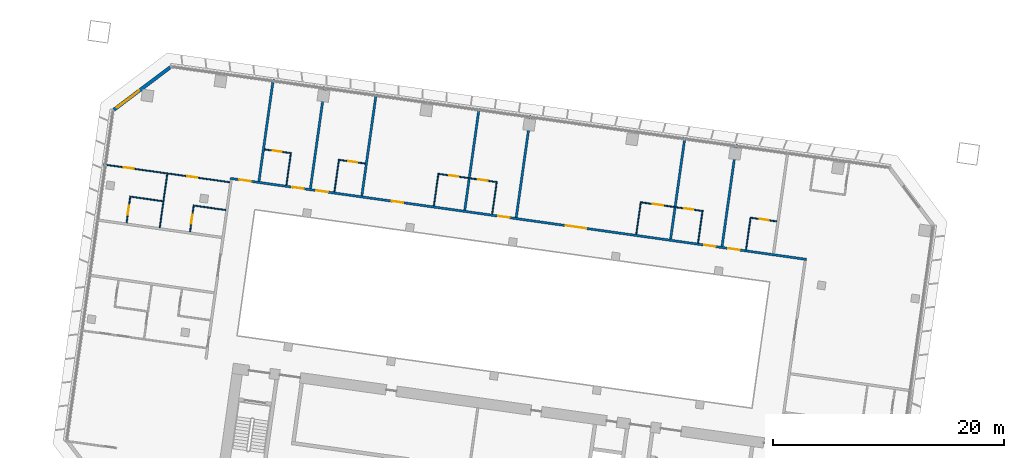
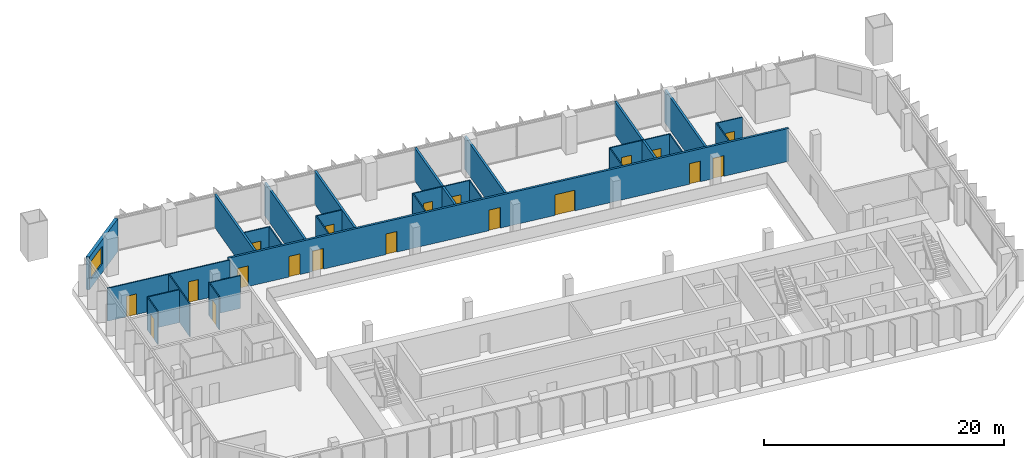
# One storey, part 16 of 24: 27 walls, 19 doors, 1 window, 20 openings.
"""IFC4 building model written with IfcOpenShell, lengths in metres."""

from ifc_helpers import new_model, si_unit, direction, frame, frame_2d, origin, place, context, subcontext, project, spatial, rectangle, extrude, material, layer, layer_set, type_object, element, fill, save


model = new_model("IFC4")

# Units and contexts
model_context = context("Model", 3, precision=1e-05, world=origin(), true_north=direction((0.0, 1.0)))
body_context = subcontext(model_context, "Body", "Model", "MODEL_VIEW")
ifc_project = project(units=[si_unit("LENGTHUNIT", "METRE"), si_unit("AREAUNIT", "SQUARE_METRE"), si_unit("VOLUMEUNIT", "CUBIC_METRE"), si_unit("PLANEANGLEUNIT", "RADIAN"), si_unit("MASSUNIT", "GRAM", prefix="KILO")], contexts=[model_context])

# Site, building, storey
site_placement = place(None, origin())
site = spatial("IfcSite", under=ifc_project, at=site_placement, CompositionType="ELEMENT")
building_placement = place(site_placement, origin())
building = spatial("IfcBuilding", under=site, at=building_placement, Name="Mirante Cascada Hotel Towers", CompositionType="ELEMENT")
storey_placement = place(building_placement, frame((0.0, 0.0, 81.3)))
storey = spatial("IfcBuildingStorey", under=building, at=storey_placement, Name="L17", CompositionType="ELEMENT", Elevation=81.3)

# Wall, openings, doors
ifc_material_1 = material(Name="Fire-rated plasterboard on metal studs")
ifc_layer_1 = layer(ifc_material_1, 0.2)
ifc_layer_set_1 = layer_set([ifc_layer_1], Name="Compartment wall 200 EI 120")
wall_type_1 = type_object("IfcWallType", Name="Compartment wall 200 EI 120", PredefinedType="PARTITIONING", material=ifc_layer_set_1)
wall_1_placement = place(storey_placement, frame((-89.0146, 16.3922, 0.0), z_axis=(0.0, 0.0, 1.0), x_axis=(0.9902681, -0.1391727, 0.0)))
wall_1 = element("IfcWall", 1, at=wall_1_placement, inside=storey, type_object=wall_type_1, Name="Wall 1-L17-13", PredefinedType="PARTITIONING", context=body_context, shape_type="SweptSolid", body=[
    extrude(rectangle(XDim=50.4, YDim=0.2, at=frame_2d((25.2, 0.0))), origin(), (0.0, 0.0, 1.0), 3.35),
])
opening_1_placement = place(wall_1_placement, frame((43.55, 0.0, 0.0)))
opening_1 = element("IfcOpeningElement", 2, at=opening_1_placement, cuts=wall_1, Name="Opening D1-L17-07", PredefinedType="OPENING", context=body_context, shape_type="SweptSolid", body=[
    extrude(rectangle(XDim=1.0, YDim=2.1, at=frame_2d((0.5, 1.05))), frame((0.0, 0.1, 0.0), z_axis=(0.0, -1.0, 0.0), x_axis=(1.0, 0.0, 0.0)), (0.0, 0.0, 1.0), 0.2),
])
opening_2_placement = place(wall_1_placement, frame((41.45, 0.0, 0.0)))
opening_2 = element("IfcOpeningElement", 3, at=opening_2_placement, cuts=wall_1, Name="Opening D1-L17-08", PredefinedType="OPENING", context=body_context, shape_type="SweptSolid", body=[
    extrude(rectangle(XDim=1.0, YDim=2.1, at=frame_2d((0.5, 1.05))), frame((0.0, 0.1, 0.0), z_axis=(0.0, -1.0, 0.0), x_axis=(1.0, 0.0, 0.0)), (0.0, 0.0, 1.0), 0.2),
])
opening_3_placement = place(wall_1_placement, frame((29.35, 0.0, 0.0)))
opening_3 = element("IfcOpeningElement", 4, at=opening_3_placement, cuts=wall_1, Name="Opening D1-L17-09", PredefinedType="OPENING", context=body_context, shape_type="SweptSolid", body=[
    extrude(rectangle(XDim=1.8, YDim=2.1, at=frame_2d((0.9, 1.05))), frame((0.0, 0.1, 0.0), z_axis=(0.0, -1.0, 0.0), x_axis=(1.0, 0.0, 0.0)), (0.0, 0.0, 1.0), 0.2),
])
opening_4_placement = place(wall_1_placement, frame((23.45, 0.0, 0.0)))
opening_4 = element("IfcOpeningElement", 5, at=opening_4_placement, cuts=wall_1, Name="Opening D1-L17-10", PredefinedType="OPENING", context=body_context, shape_type="SweptSolid", body=[
    extrude(rectangle(XDim=1.0, YDim=2.1, at=frame_2d((0.5, 1.05))), frame((0.0, 0.1, 0.0), z_axis=(0.0, -1.0, 0.0), x_axis=(1.0, 0.0, 0.0)), (0.0, 0.0, 1.0), 0.2),
])
opening_5_placement = place(wall_1_placement, frame((14.15, 0.0, 0.0)))
opening_5 = element("IfcOpeningElement", 6, at=opening_5_placement, cuts=wall_1, Name="Opening D1-L17-11", PredefinedType="OPENING", context=body_context, shape_type="SweptSolid", body=[
    extrude(rectangle(XDim=1.0, YDim=2.1, at=frame_2d((0.5, 1.05))), frame((0.0, 0.1, 0.0), z_axis=(0.0, -1.0, 0.0), x_axis=(1.0, 0.0, 0.0)), (0.0, 0.0, 1.0), 0.2),
])
opening_6_placement = place(wall_1_placement, frame((7.55, 0.0, 0.0)))
opening_6 = element("IfcOpeningElement", 7, at=opening_6_placement, cuts=wall_1, Name="Opening D1-L17-12", PredefinedType="OPENING", context=body_context, shape_type="SweptSolid", body=[
    extrude(rectangle(XDim=1.0, YDim=2.1, at=frame_2d((0.5, 1.05))), frame((0.0, 0.1, 0.0), z_axis=(0.0, -1.0, 0.0), x_axis=(1.0, 0.0, 0.0)), (0.0, 0.0, 1.0), 0.2),
])
opening_7_placement = place(wall_1_placement, frame((5.45, 0.0, 0.0)))
opening_7 = element("IfcOpeningElement", 8, at=opening_7_placement, cuts=wall_1, Name="Opening D1-L17-13", PredefinedType="OPENING", context=body_context, shape_type="SweptSolid", body=[
    extrude(rectangle(XDim=1.0, YDim=2.1, at=frame_2d((0.5, 1.05))), frame((0.0, 0.1, 0.0), z_axis=(0.0, -1.0, 0.0), x_axis=(1.0, 0.0, 0.0)), (0.0, 0.0, 1.0), 0.2),
])
opening_8_placement = place(wall_1_placement, frame((0.8, 0.0, 0.0)))
opening_8 = element("IfcOpeningElement", 9, at=opening_8_placement, cuts=wall_1, Name="Opening D1-L17-14", PredefinedType="OPENING", context=body_context, shape_type="SweptSolid", body=[
    extrude(rectangle(XDim=1.0, YDim=2.1, at=frame_2d((0.5, 1.05))), frame((0.0, 0.1, 0.0), z_axis=(0.0, -1.0, 0.0), x_axis=(1.0, 0.0, 0.0)), (0.0, 0.0, 1.0), 0.2),
])
ifc_material_2 = material(Name="Fire-rated timber door leaf", Category="wood")
door_type_1 = type_object("IfcDoorType", Name="Entrance door DG1 1000x2100 EI 60", OperationType="SINGLE_SWING_LEFT", PredefinedType="DOOR", material=ifc_material_2)
door_1_placement = place(opening_1_placement, origin())
door_1 = element("IfcDoor", 10, at=door_1_placement, inside=storey, type_object=door_type_1, Name="Door D1-L17-07", OperationType="SINGLE_SWING_LEFT", OverallHeight=2.1, OverallWidth=1.0, PredefinedType="DOOR", context=body_context, shape_type="SweptSolid", body=[
    extrude(rectangle(XDim=1.0, YDim=2.1, at=frame_2d((0.5, 1.05))), frame((0.0, 0.025, 0.0), z_axis=(0.0, -1.0, 0.0), x_axis=(1.0, 0.0, 0.0)), (0.0, 0.0, 1.0), 0.05),
])
fill(opening_1, door_1)
door_2_placement = place(opening_2_placement, origin())
door_2 = element("IfcDoor", 11, at=door_2_placement, inside=storey, type_object=door_type_1, Name="Door D1-L17-08", OperationType="SINGLE_SWING_LEFT", OverallHeight=2.1, OverallWidth=1.0, PredefinedType="DOOR", context=body_context, shape_type="SweptSolid", body=[
    extrude(rectangle(XDim=1.0, YDim=2.1, at=frame_2d((0.5, 1.05))), frame((0.0, 0.025, 0.0), z_axis=(0.0, -1.0, 0.0), x_axis=(1.0, 0.0, 0.0)), (0.0, 0.0, 1.0), 0.05),
])
fill(opening_2, door_2)
door_3_placement = place(opening_4_placement, origin())
door_3 = element("IfcDoor", 12, at=door_3_placement, inside=storey, type_object=door_type_1, Name="Door D1-L17-10", OperationType="SINGLE_SWING_LEFT", OverallHeight=2.1, OverallWidth=1.0, PredefinedType="DOOR", context=body_context, shape_type="SweptSolid", body=[
    extrude(rectangle(XDim=1.0, YDim=2.1, at=frame_2d((0.5, 1.05))), frame((0.0, 0.025, 0.0), z_axis=(0.0, -1.0, 0.0), x_axis=(1.0, 0.0, 0.0)), (0.0, 0.0, 1.0), 0.05),
])
fill(opening_4, door_3)
door_4_placement = place(opening_5_placement, origin())
door_4 = element("IfcDoor", 13, at=door_4_placement, inside=storey, type_object=door_type_1, Name="Door D1-L17-11", OperationType="SINGLE_SWING_LEFT", OverallHeight=2.1, OverallWidth=1.0, PredefinedType="DOOR", context=body_context, shape_type="SweptSolid", body=[
    extrude(rectangle(XDim=1.0, YDim=2.1, at=frame_2d((0.5, 1.05))), frame((0.0, 0.025, 0.0), z_axis=(0.0, -1.0, 0.0), x_axis=(1.0, 0.0, 0.0)), (0.0, 0.0, 1.0), 0.05),
])
fill(opening_5, door_4)
door_5_placement = place(opening_6_placement, origin())
door_5 = element("IfcDoor", 14, at=door_5_placement, inside=storey, type_object=door_type_1, Name="Door D1-L17-12", OperationType="SINGLE_SWING_LEFT", OverallHeight=2.1, OverallWidth=1.0, PredefinedType="DOOR", context=body_context, shape_type="SweptSolid", body=[
    extrude(rectangle(XDim=1.0, YDim=2.1, at=frame_2d((0.5, 1.05))), frame((0.0, 0.025, 0.0), z_axis=(0.0, -1.0, 0.0), x_axis=(1.0, 0.0, 0.0)), (0.0, 0.0, 1.0), 0.05),
])
fill(opening_6, door_5)
door_6_placement = place(opening_7_placement, origin())
door_6 = element("IfcDoor", 15, at=door_6_placement, inside=storey, type_object=door_type_1, Name="Door D1-L17-13", OperationType="SINGLE_SWING_LEFT", OverallHeight=2.1, OverallWidth=1.0, PredefinedType="DOOR", context=body_context, shape_type="SweptSolid", body=[
    extrude(rectangle(XDim=1.0, YDim=2.1, at=frame_2d((0.5, 1.05))), frame((0.0, 0.025, 0.0), z_axis=(0.0, -1.0, 0.0), x_axis=(1.0, 0.0, 0.0)), (0.0, 0.0, 1.0), 0.05),
])
fill(opening_7, door_6)
door_7_placement = place(opening_8_placement, origin())
door_7 = element("IfcDoor", 16, at=door_7_placement, inside=storey, type_object=door_type_1, Name="Door D1-L17-14", OperationType="SINGLE_SWING_LEFT", OverallHeight=2.1, OverallWidth=1.0, PredefinedType="DOOR", context=body_context, shape_type="SweptSolid", body=[
    extrude(rectangle(XDim=1.0, YDim=2.1, at=frame_2d((0.5, 1.05))), frame((0.0, 0.025, 0.0), z_axis=(0.0, -1.0, 0.0), x_axis=(1.0, 0.0, 0.0)), (0.0, 0.0, 1.0), 0.05),
])
fill(opening_8, door_7)
ifc_material_3 = material(Name="Fire-rated timber door leaf", Category="wood")
door_type_2 = type_object("IfcDoorType", Name="Suite double door DG2 1800x2100 EI 60", OperationType="DOUBLE_DOOR_SINGLE_SWING", PredefinedType="DOOR", material=ifc_material_3)
door_8_placement = place(opening_3_placement, origin())
door_8 = element("IfcDoor", 17, at=door_8_placement, inside=storey, type_object=door_type_2, Name="Door D1-L17-09", OperationType="DOUBLE_DOOR_SINGLE_SWING", OverallHeight=2.1, OverallWidth=1.8, PredefinedType="DOOR", context=body_context, shape_type="SweptSolid", body=[
    extrude(rectangle(XDim=0.895, YDim=2.1, at=frame_2d((0.4475, 1.05))), frame((0.0, 0.025, 0.0), z_axis=(0.0, -1.0, 0.0), x_axis=(1.0, 0.0, 0.0)), (0.0, 0.0, 1.0), 0.05),
    extrude(rectangle(XDim=0.895, YDim=2.1, at=frame_2d((1.3525, 1.05))), frame((0.0, 0.025, 0.0), z_axis=(0.0, -1.0, 0.0), x_axis=(1.0, 0.0, 0.0)), (0.0, 0.0, 1.0), 0.05),
])
fill(opening_3, door_8)

# Walls
for number, where, z_axis, x_axis, name in (
    (18, (-46.4192, 10.5068, 0.0), (0.0, 0.0, 1.0), (0.1391794, 0.9902672, 0.0), "Wall 1-L17-28"),
    (19, (-50.8754, 11.1331, 0.0), (0.0, 0.0, 1.0), (0.1391794, 0.9902672, 0.0), "Wall 1-L17-30"),
    (20, (-64.244, 13.0119, 0.0), (0.0, 0.0, 1.0), (0.1391684, 0.9902687, 0.0), "Wall 1-L17-32"),
    (21, (-68.7002, 13.6382, 0.0), (0.0, 0.0, 1.0), (0.1391684, 0.9902687, 0.0), "Wall 1-L17-34"),
    (22, (-77.6126, 14.8908, 0.0), (0.0, 0.0, 1.0), (0.1391684, 0.9902687, 0.0), "Wall 1-L17-36"),
):
    element("IfcWall", number, at=place(storey_placement, frame(where, z_axis=z_axis, x_axis=x_axis)), inside=storey, type_object=wall_type_1, Name=name, PredefinedType="PARTITIONING", context=body_context, shape_type="SweptSolid", body=[
        extrude(rectangle(XDim=8.9, YDim=0.2, at=frame_2d((4.45, 0.0))), origin(), (0.0, 0.0, 1.0), 3.35),
    ])
wall_2_placement = place(storey_placement, frame((-82.0688, 15.5171, 0.0), z_axis=(0.0, 0.0, 1.0), x_axis=(0.13917, 0.9902685, 0.0)))
element("IfcWall", 23, at=wall_2_placement, inside=storey, type_object=wall_type_1, Name="Wall 1-L17-38", PredefinedType="PARTITIONING", context=body_context, shape_type="SweptSolid", body=[
    extrude(rectangle(XDim=8.8999, YDim=0.2, at=frame_2d((4.45, 0.0))), origin(), (0.0, 0.0, 1.0), 3.35),
])
wall_3_placement = place(storey_placement, frame((-86.525, 16.1433, 0.0), z_axis=(0.0, 0.0, 1.0), x_axis=(0.1391684, 0.9902687, 0.0)))
element("IfcWall", 24, at=wall_3_placement, inside=storey, type_object=wall_type_1, Name="Wall 1-L17-40", PredefinedType="PARTITIONING", context=body_context, shape_type="SweptSolid", body=[
    extrude(rectangle(XDim=8.9, YDim=0.2, at=frame_2d((4.45, 0.0))), origin(), (0.0, 0.0, 1.0), 3.35),
])
ifc_material_4 = material(Name="Plasterboard on metal studs")
ifc_layer_2 = layer(ifc_material_4, 0.1)
ifc_layer_set_2 = layer_set([ifc_layer_2], Name="Partition 100")
wall_type_2 = type_object("IfcWallType", Name="Partition 100", PredefinedType="PARTITIONING", material=ifc_layer_set_2)
wall_4_placement = place(storey_placement, frame((-89.3997, 13.6525, 0.0), z_axis=(0.0, 0.0, 1.0), x_axis=(-0.9902697, 0.1391613, 0.0)))
element("IfcWall", 25, at=wall_4_placement, inside=storey, type_object=wall_type_2, Name="Wall 1-L17-10", PredefinedType="PARTITIONING", context=body_context, shape_type="SweptSolid", body=[
    extrude(rectangle(XDim=2.8499, YDim=0.1, at=frame_2d((1.425, 0.0))), origin(), (0.0, 0.0, 1.0), 3.35),
])
wall_5_placement = place(storey_placement, frame((-97.7179, 14.8215, 0.0), z_axis=(0.0, 0.0, 1.0), x_axis=(0.9902683, -0.1391714, 0.0)))
element("IfcWall", 26, at=wall_5_placement, inside=storey, type_object=wall_type_2, Name="Wall 1-L17-11", PredefinedType="PARTITIONING", context=body_context, shape_type="SweptSolid", body=[
    extrude(rectangle(XDim=2.9, YDim=0.1, at=frame_2d((1.45, 0.0))), origin(), (0.0, 0.0, 1.0), 3.35),
])

# Wall, openings, doors
wall_6_placement = place(storey_placement, frame((-89.061, 16.0622, 0.0), z_axis=(0.0, 0.0, 1.0), x_axis=(-0.9902682, 0.1391721, 0.0)))
wall_6 = element("IfcWall", 27, at=wall_6_placement, inside=storey, type_object=wall_type_2, Name="Wall 1-L17-12", PredefinedType="PARTITIONING", context=body_context, shape_type="SweptSolid", body=[
    extrude(rectangle(XDim=11.0001, YDim=0.1, at=frame_2d((5.5, 0.0))), origin(), (0.0, 0.0, 1.0), 3.35),
])
opening_9_placement = place(wall_6_placement, frame((2.825, 0.0, 0.0)))
opening_9 = element("IfcOpeningElement", 28, at=opening_9_placement, cuts=wall_6, Name="Opening D1-L17-05", PredefinedType="OPENING", context=body_context, shape_type="SweptSolid", body=[
    extrude(rectangle(XDim=0.9, YDim=2.1, at=frame_2d((0.45, 1.05))), frame((0.0, 0.05, 0.0), z_axis=(0.0, -1.0, 0.0), x_axis=(1.0, 0.0, 0.0)), (0.0, 0.0, 1.0), 0.1),
])
opening_10_placement = place(wall_6_placement, frame((8.375, 0.0, 0.0)))
opening_10 = element("IfcOpeningElement", 29, at=opening_10_placement, cuts=wall_6, Name="Opening D1-L17-06", PredefinedType="OPENING", context=body_context, shape_type="SweptSolid", body=[
    extrude(rectangle(XDim=0.9, YDim=2.1, at=frame_2d((0.45, 1.05))), frame((0.0, 0.05, 0.0), z_axis=(0.0, -1.0, 0.0), x_axis=(1.0, 0.0, 0.0)), (0.0, 0.0, 1.0), 0.1),
])
ifc_material_5 = material(Name="Timber door leaf", Category="wood")
door_type_3 = type_object("IfcDoorType", Name="Room door DG3 900x2100", OperationType="SINGLE_SWING_LEFT", PredefinedType="DOOR", material=ifc_material_5)
door_9_placement = place(opening_9_placement, frame((0.9, 0.0, 0.0), z_axis=(0.0, 0.0, 1.0), x_axis=(-1.0, 0.0, 0.0)))
door_9 = element("IfcDoor", 30, at=door_9_placement, inside=storey, type_object=door_type_3, Name="Door D1-L17-05", OperationType="SINGLE_SWING_RIGHT", OverallHeight=2.1, OverallWidth=0.9, PredefinedType="DOOR", context=body_context, shape_type="SweptSolid", body=[
    extrude(rectangle(XDim=0.9, YDim=2.1, at=frame_2d((0.45, 1.05))), frame((0.0, 0.025, 0.0), z_axis=(0.0, -1.0, 0.0), x_axis=(1.0, 0.0, 0.0)), (0.0, 0.0, 1.0), 0.05),
])
fill(opening_9, door_9)
door_10_placement = place(opening_10_placement, frame((0.9, 0.0, 0.0), z_axis=(0.0, 0.0, 1.0), x_axis=(-1.0, 0.0, 0.0)))
door_10 = element("IfcDoor", 31, at=door_10_placement, inside=storey, type_object=door_type_3, Name="Door D1-L17-06", OperationType="SINGLE_SWING_RIGHT", OverallHeight=2.1, OverallWidth=0.9, PredefinedType="DOOR", context=body_context, shape_type="SweptSolid", body=[
    extrude(rectangle(XDim=0.9, YDim=2.1, at=frame_2d((0.45, 1.05))), frame((0.0, 0.025, 0.0), z_axis=(0.0, -1.0, 0.0), x_axis=(1.0, 0.0, 0.0)), (0.0, 0.0, 1.0), 0.05),
])
fill(opening_10, door_10)

# Wall, opening, door
wall_7_placement = place(storey_placement, frame((-41.6723, 12.6672, 0.0), z_axis=(0.0, 0.0, 1.0), x_axis=(-0.9902643, 0.1391997, 0.0)))
wall_7 = element("IfcWall", 32, at=wall_7_placement, inside=storey, type_object=wall_type_2, Name="Wall 1-L17-14", PredefinedType="PARTITIONING", context=body_context, shape_type="SweptSolid", body=[
    extrude(rectangle(XDim=2.25, YDim=0.1, at=frame_2d((1.125, 0.0))), origin(), (0.0, 0.0, 1.0), 3.35),
])
opening_11_placement = place(wall_7_placement, frame((0.7, 0.0, 0.0)))
opening_11 = element("IfcOpeningElement", 33, at=opening_11_placement, cuts=wall_7, Name="Opening D1-L17-15", PredefinedType="OPENING", context=body_context, shape_type="SweptSolid", body=[
    extrude(rectangle(XDim=0.8, YDim=2.1, at=frame_2d((0.4, 1.05))), frame((0.0, 0.05, 0.0), z_axis=(0.0, -1.0, 0.0), x_axis=(1.0, 0.0, 0.0)), (0.0, 0.0, 1.0), 0.1),
])
ifc_material_6 = material(Name="Timber door leaf", Category="wood")
door_type_4 = type_object("IfcDoorType", Name="Bathroom door DG4 800x2100", OperationType="SINGLE_SWING_LEFT", PredefinedType="DOOR", material=ifc_material_6)
door_11_placement = place(opening_11_placement, frame((0.8, 0.0, 0.0), z_axis=(0.0, 0.0, 1.0), x_axis=(-1.0, 0.0, 0.0)))
door_11 = element("IfcDoor", 34, at=door_11_placement, inside=storey, type_object=door_type_4, Name="Door D1-L17-15", OperationType="SINGLE_SWING_RIGHT", OverallHeight=2.1, OverallWidth=0.8, PredefinedType="DOOR", context=body_context, shape_type="SweptSolid", body=[
    extrude(rectangle(XDim=0.8, YDim=2.1, at=frame_2d((0.4, 1.05))), frame((0.0, 0.025, 0.0), z_axis=(0.0, -1.0, 0.0), x_axis=(1.0, 0.0, 0.0)), (0.0, 0.0, 1.0), 0.05),
])
fill(opening_11, door_11)

# Wall, openings, doors
wall_8_placement = place(storey_placement, frame((-53.506, 14.3303, 0.0), z_axis=(0.0, 0.0, 1.0), x_axis=(0.9902695, -0.1391632, 0.0)))
wall_8 = element("IfcWall", 35, at=wall_8_placement, inside=storey, type_object=wall_type_2, Name="Wall 1-L17-15", PredefinedType="PARTITIONING", context=body_context, shape_type="SweptSolid", body=[
    extrude(rectangle(XDim=5.5, YDim=0.1, at=frame_2d((2.75, 0.0))), origin(), (0.0, 0.0, 1.0), 3.35),
])
opening_12_placement = place(wall_8_placement, frame((3.85, 0.0, 0.0)))
opening_12 = element("IfcOpeningElement", 36, at=opening_12_placement, cuts=wall_8, Name="Opening D1-L17-16", PredefinedType="OPENING", context=body_context, shape_type="SweptSolid", body=[
    extrude(rectangle(XDim=0.8, YDim=2.1, at=frame_2d((0.4, 1.05))), frame((0.0, 0.05, 0.0), z_axis=(0.0, -1.0, 0.0), x_axis=(1.0, 0.0, 0.0)), (0.0, 0.0, 1.0), 0.1),
])
opening_13_placement = place(wall_8_placement, frame((1.1, 0.0, 0.0)))
opening_13 = element("IfcOpeningElement", 37, at=opening_13_placement, cuts=wall_8, Name="Opening D1-L17-17", PredefinedType="OPENING", context=body_context, shape_type="SweptSolid", body=[
    extrude(rectangle(XDim=0.9, YDim=2.1, at=frame_2d((0.45, 1.05))), frame((0.0, 0.05, 0.0), z_axis=(0.0, -1.0, 0.0), x_axis=(1.0, 0.0, 0.0)), (0.0, 0.0, 1.0), 0.1),
])
door_12_placement = place(opening_12_placement, origin())
door_12 = element("IfcDoor", 38, at=door_12_placement, inside=storey, type_object=door_type_4, Name="Door D1-L17-16", OperationType="SINGLE_SWING_LEFT", OverallHeight=2.1, OverallWidth=0.8, PredefinedType="DOOR", context=body_context, shape_type="SweptSolid", body=[
    extrude(rectangle(XDim=0.8, YDim=2.1, at=frame_2d((0.4, 1.05))), frame((0.0, 0.025, 0.0), z_axis=(0.0, -1.0, 0.0), x_axis=(1.0, 0.0, 0.0)), (0.0, 0.0, 1.0), 0.05),
])
fill(opening_12, door_12)
door_13_placement = place(opening_13_placement, origin())
door_13 = element("IfcDoor", 39, at=door_13_placement, inside=storey, type_object=door_type_3, Name="Door D1-L17-17", OperationType="SINGLE_SWING_LEFT", OverallHeight=2.1, OverallWidth=0.9, PredefinedType="DOOR", context=body_context, shape_type="SweptSolid", body=[
    extrude(rectangle(XDim=0.9, YDim=2.1, at=frame_2d((0.45, 1.05))), frame((0.0, 0.025, 0.0), z_axis=(0.0, -1.0, 0.0), x_axis=(1.0, 0.0, 0.0)), (0.0, 0.0, 1.0), 0.05),
])
fill(opening_13, door_13)

wall_9_placement = place(storey_placement, frame((-65.8844, 16.07, 0.0), z_axis=(0.0, 0.0, 1.0), x_axis=(-0.9902681, 0.1391729, 0.0)))
wall_9 = element("IfcWall", 40, at=wall_9_placement, inside=storey, type_object=wall_type_2, Name="Wall 1-L17-16", PredefinedType="PARTITIONING", context=body_context, shape_type="SweptSolid", body=[
    extrude(rectangle(XDim=5.2, YDim=0.1, at=frame_2d((2.6, 0.0))), origin(), (0.0, 0.0, 1.0), 3.35),
])
opening_14_placement = place(wall_9_placement, frame((0.85, 0.0, 0.0)))
opening_14 = element("IfcOpeningElement", 41, at=opening_14_placement, cuts=wall_9, Name="Opening D1-L17-18", PredefinedType="OPENING", context=body_context, shape_type="SweptSolid", body=[
    extrude(rectangle(XDim=0.8, YDim=2.1, at=frame_2d((0.4, 1.05))), frame((0.0, 0.05, 0.0), z_axis=(0.0, -1.0, 0.0), x_axis=(1.0, 0.0, 0.0)), (0.0, 0.0, 1.0), 0.1),
])
opening_15_placement = place(wall_9_placement, frame((3.4, 0.0, 0.0)))
opening_15 = element("IfcOpeningElement", 42, at=opening_15_placement, cuts=wall_9, Name="Opening D1-L17-19", PredefinedType="OPENING", context=body_context, shape_type="SweptSolid", body=[
    extrude(rectangle(XDim=0.8, YDim=2.1, at=frame_2d((0.4, 1.05))), frame((0.0, 0.05, 0.0), z_axis=(0.0, -1.0, 0.0), x_axis=(1.0, 0.0, 0.0)), (0.0, 0.0, 1.0), 0.1),
])
door_14_placement = place(opening_14_placement, frame((0.8, 0.0, 0.0), z_axis=(0.0, 0.0, 1.0), x_axis=(-1.0, 0.0, 0.0)))
door_14 = element("IfcDoor", 43, at=door_14_placement, inside=storey, type_object=door_type_4, Name="Door D1-L17-18", OperationType="SINGLE_SWING_RIGHT", OverallHeight=2.1, OverallWidth=0.8, PredefinedType="DOOR", context=body_context, shape_type="SweptSolid", body=[
    extrude(rectangle(XDim=0.8, YDim=2.1, at=frame_2d((0.4, 1.05))), frame((0.0, 0.025, 0.0), z_axis=(0.0, -1.0, 0.0), x_axis=(1.0, 0.0, 0.0)), (0.0, 0.0, 1.0), 0.05),
])
fill(opening_14, door_14)
door_15_placement = place(opening_15_placement, frame((0.8, 0.0, 0.0), z_axis=(0.0, 0.0, 1.0), x_axis=(-1.0, 0.0, 0.0)))
door_15 = element("IfcDoor", 44, at=door_15_placement, inside=storey, type_object=door_type_4, Name="Door D1-L17-19", OperationType="SINGLE_SWING_RIGHT", OverallHeight=2.1, OverallWidth=0.8, PredefinedType="DOOR", context=body_context, shape_type="SweptSolid", body=[
    extrude(rectangle(XDim=0.8, YDim=2.1, at=frame_2d((0.4, 1.05))), frame((0.0, 0.025, 0.0), z_axis=(0.0, -1.0, 0.0), x_axis=(1.0, 0.0, 0.0)), (0.0, 0.0, 1.0), 0.05),
])
fill(opening_15, door_15)

# Wall, opening, door
wall_10_placement = place(storey_placement, frame((-79.5501, 17.9906, 0.0), z_axis=(0.0, 0.0, 1.0), x_axis=(0.9902643, -0.1391997, 0.0)))
wall_10 = element("IfcWall", 45, at=wall_10_placement, inside=storey, type_object=wall_type_2, Name="Wall 1-L17-17", PredefinedType="PARTITIONING", context=body_context, shape_type="SweptSolid", body=[
    extrude(rectangle(XDim=2.25, YDim=0.1, at=frame_2d((1.125, 0.0))), origin(), (0.0, 0.0, 1.0), 3.35),
])
opening_16_placement = place(wall_10_placement, frame((0.75, 0.0, 0.0)))
opening_16 = element("IfcOpeningElement", 46, at=opening_16_placement, cuts=wall_10, Name="Opening D1-L17-20", PredefinedType="OPENING", context=body_context, shape_type="SweptSolid", body=[
    extrude(rectangle(XDim=0.8, YDim=2.1, at=frame_2d((0.4, 1.05))), frame((0.0, 0.05, 0.0), z_axis=(0.0, -1.0, 0.0), x_axis=(1.0, 0.0, 0.0)), (0.0, 0.0, 1.0), 0.1),
])
door_16_placement = place(opening_16_placement, origin())
door_16 = element("IfcDoor", 47, at=door_16_placement, inside=storey, type_object=door_type_4, Name="Door D1-L17-20", OperationType="SINGLE_SWING_LEFT", OverallHeight=2.1, OverallWidth=0.8, PredefinedType="DOOR", context=body_context, shape_type="SweptSolid", body=[
    extrude(rectangle(XDim=0.8, YDim=2.1, at=frame_2d((0.4, 1.05))), frame((0.0, 0.025, 0.0), z_axis=(0.0, -1.0, 0.0), x_axis=(1.0, 0.0, 0.0)), (0.0, 0.0, 1.0), 0.05),
])
fill(opening_16, door_16)

wall_11_placement = place(storey_placement, frame((-83.8082, 18.589, 0.0), z_axis=(0.0, 0.0, 1.0), x_axis=(-0.9902643, 0.1391997, 0.0)))
wall_11 = element("IfcWall", 48, at=wall_11_placement, inside=storey, type_object=wall_type_2, Name="Wall 1-L17-18", PredefinedType="PARTITIONING", context=body_context, shape_type="SweptSolid", body=[
    extrude(rectangle(XDim=2.25, YDim=0.1, at=frame_2d((1.125, 0.0))), origin(), (0.0, 0.0, 1.0), 3.35),
])
opening_17_placement = place(wall_11_placement, frame((0.75, 0.0, 0.0)))
opening_17 = element("IfcOpeningElement", 49, at=opening_17_placement, cuts=wall_11, Name="Opening D1-L17-21", PredefinedType="OPENING", context=body_context, shape_type="SweptSolid", body=[
    extrude(rectangle(XDim=0.8, YDim=2.1, at=frame_2d((0.4, 1.05))), frame((0.0, 0.05, 0.0), z_axis=(0.0, -1.0, 0.0), x_axis=(1.0, 0.0, 0.0)), (0.0, 0.0, 1.0), 0.1),
])
door_17_placement = place(opening_17_placement, frame((0.8, 0.0, 0.0), z_axis=(0.0, 0.0, 1.0), x_axis=(-1.0, 0.0, 0.0)))
door_17 = element("IfcDoor", 50, at=door_17_placement, inside=storey, type_object=door_type_4, Name="Door D1-L17-21", OperationType="SINGLE_SWING_RIGHT", OverallHeight=2.1, OverallWidth=0.8, PredefinedType="DOOR", context=body_context, shape_type="SweptSolid", body=[
    extrude(rectangle(XDim=0.8, YDim=2.1, at=frame_2d((0.4, 1.05))), frame((0.0, 0.025, 0.0), z_axis=(0.0, -1.0, 0.0), x_axis=(1.0, 0.0, 0.0)), (0.0, 0.0, 1.0), 0.05),
])
fill(opening_17, door_17)

# Walls
wall_12_placement = place(storey_placement, frame((-43.943, 13.0368, 0.0), z_axis=(0.0, 0.0, 1.0), x_axis=(-0.1391613, -0.9902697, 0.0)))
element("IfcWall", 51, at=wall_12_placement, inside=storey, type_object=wall_type_2, Name="Wall 1-L17-27", PredefinedType="PARTITIONING", context=body_context, shape_type="SweptSolid", body=[
    extrude(rectangle(XDim=2.8499, YDim=0.1, at=frame_2d((1.425, 0.0))), origin(), (0.0, 0.0, 1.0), 3.35),
])
wall_13_placement = place(storey_placement, frame((-48.116, 13.5223, 0.0), z_axis=(0.0, 0.0, 1.0), x_axis=(-0.1391657, -0.9902691, 0.0)))
element("IfcWall", 52, at=wall_13_placement, inside=storey, type_object=wall_type_2, Name="Wall 1-L17-29", PredefinedType="PARTITIONING", context=body_context, shape_type="SweptSolid", body=[
    extrude(rectangle(XDim=2.75, YDim=0.1, at=frame_2d((1.375, 0.0))), origin(), (0.0, 0.0, 1.0), 3.35),
])
wall_14_placement = place(storey_placement, frame((-53.4635, 14.2739, 0.0), z_axis=(0.0, 0.0, 1.0), x_axis=(-0.1391607, -0.9902698, 0.0)))
element("IfcWall", 53, at=wall_14_placement, inside=storey, type_object=wall_type_2, Name="Wall 1-L17-31", PredefinedType="PARTITIONING", context=body_context, shape_type="SweptSolid", body=[
    extrude(rectangle(XDim=2.7501, YDim=0.1, at=frame_2d((1.3751, 0.0))), origin(), (0.0, 0.0, 1.0), 3.35),
])
for number, where, z_axis, x_axis, name in (
    (54, (-65.9408, 16.0274, 0.0), (0.0, 0.0, 1.0), (-0.1392013, -0.9902641, 0.0), "Wall 1-L17-33"),
    (55, (-70.9912, 16.7372, 0.0), (0.0, 0.0, 1.0), (-0.1391657, -0.9902691, 0.0), "Wall 1-L17-35"),
):
    element("IfcWall", number, at=place(storey_placement, frame(where, z_axis=z_axis, x_axis=x_axis)), inside=storey, type_object=wall_type_2, Name=name, PredefinedType="PARTITIONING", context=body_context, shape_type="SweptSolid", body=[
        extrude(rectangle(XDim=2.75, YDim=0.1, at=frame_2d((1.375, 0.0))), origin(), (0.0, 0.0, 1.0), 3.35),
    ])
for number, where, z_axis, x_axis, name in (
    (56, (-79.5926, 18.0471, 0.0), (0.0, 0.0, 1.0), (-0.1391909, -0.9902656, 0.0), "Wall 1-L17-37"),
    (57, (-83.7517, 18.6316, 0.0), (0.0, 0.0, 1.0), (-0.1391909, -0.9902656, 0.0), "Wall 1-L17-39"),
):
    element("IfcWall", number, at=place(storey_placement, frame(where, z_axis=z_axis, x_axis=x_axis)), inside=storey, type_object=wall_type_2, Name=name, PredefinedType="PARTITIONING", context=body_context, shape_type="SweptSolid", body=[
        extrude(rectangle(XDim=2.85, YDim=0.1, at=frame_2d((1.425, 0.0))), origin(), (0.0, 0.0, 1.0), 3.35),
    ])

# Wall, opening, door
wall_15_placement = place(storey_placement, frame((-92.1794, 13.9926, 0.0), z_axis=(0.0, 0.0, 1.0), x_axis=(-0.1391561, -0.9902705, 0.0)))
wall_15 = element("IfcWall", 58, at=wall_15_placement, inside=storey, type_object=wall_type_2, Name="Wall 1-L17-43", PredefinedType="PARTITIONING", context=body_context, shape_type="SweptSolid", body=[
    extrude(rectangle(XDim=2.25, YDim=0.1, at=frame_2d((1.125, 0.0))), origin(), (0.0, 0.0, 1.0), 3.35),
])
opening_18_placement = place(wall_15_placement, frame((0.75, 0.0, 0.0)))
opening_18 = element("IfcOpeningElement", 59, at=opening_18_placement, cuts=wall_15, Name="Opening D1-L17-28", PredefinedType="OPENING", context=body_context, shape_type="SweptSolid", body=[
    extrude(rectangle(XDim=0.8, YDim=2.1, at=frame_2d((0.4, 1.05))), frame((0.0, 0.05, 0.0), z_axis=(0.0, -1.0, 0.0), x_axis=(1.0, 0.0, 0.0)), (0.0, 0.0, 1.0), 0.1),
])
door_18_placement = place(opening_18_placement, origin())
door_18 = element("IfcDoor", 60, at=door_18_placement, inside=storey, type_object=door_type_4, Name="Door D1-L17-28", OperationType="SINGLE_SWING_LEFT", OverallHeight=2.1, OverallWidth=0.8, PredefinedType="DOOR", context=body_context, shape_type="SweptSolid", body=[
    extrude(rectangle(XDim=0.8, YDim=2.1, at=frame_2d((0.4, 1.05))), frame((0.0, 0.025, 0.0), z_axis=(0.0, -1.0, 0.0), x_axis=(1.0, 0.0, 0.0)), (0.0, 0.0, 1.0), 0.05),
])
fill(opening_18, door_18)

# Wall
wall_16_placement = place(storey_placement, frame((-94.4649, 16.7712, 0.0), z_axis=(0.0, 0.0, 1.0), x_axis=(-0.1391701, -0.9902685, 0.0)))
element("IfcWall", 61, at=wall_16_placement, inside=storey, type_object=wall_type_2, Name="Wall 1-L17-45", PredefinedType="PARTITIONING", context=body_context, shape_type="SweptSolid", body=[
    extrude(rectangle(XDim=4.6835, YDim=0.1, at=frame_2d((2.3418, 0.0))), origin(), (0.0, 0.0, 1.0), 3.35),
])

# Wall, opening, door
wall_17_placement = place(storey_placement, frame((-97.6754, 14.765, 0.0), z_axis=(0.0, 0.0, 1.0), x_axis=(-0.1391561, -0.9902705, 0.0)))
wall_17 = element("IfcWall", 62, at=wall_17_placement, inside=storey, type_object=wall_type_2, Name="Wall 1-L17-47", PredefinedType="PARTITIONING", context=body_context, shape_type="SweptSolid", body=[
    extrude(rectangle(XDim=2.25, YDim=0.1, at=frame_2d((1.125, 0.0))), origin(), (0.0, 0.0, 1.0), 3.35),
])
opening_19_placement = place(wall_17_placement, frame((0.75, 0.0, 0.0)))
opening_19 = element("IfcOpeningElement", 63, at=opening_19_placement, cuts=wall_17, Name="Opening D1-L17-31", PredefinedType="OPENING", context=body_context, shape_type="SweptSolid", body=[
    extrude(rectangle(XDim=0.8, YDim=2.1, at=frame_2d((0.4, 1.05))), frame((0.0, 0.05, 0.0), z_axis=(0.0, -1.0, 0.0), x_axis=(1.0, 0.0, 0.0)), (0.0, 0.0, 1.0), 0.1),
])
door_19_placement = place(opening_19_placement, origin())
door_19 = element("IfcDoor", 64, at=door_19_placement, inside=storey, type_object=door_type_4, Name="Door D1-L17-31", OperationType="SINGLE_SWING_LEFT", OverallHeight=2.1, OverallWidth=0.8, PredefinedType="DOOR", context=body_context, shape_type="SweptSolid", body=[
    extrude(rectangle(XDim=0.8, YDim=2.1, at=frame_2d((0.4, 1.05))), frame((0.0, 0.025, 0.0), z_axis=(0.0, -1.0, 0.0), x_axis=(1.0, 0.0, 0.0)), (0.0, 0.0, 1.0), 0.05),
])
fill(opening_19, door_19)

# Wall, opening, window
ifc_material_7 = material(Name="Precast concrete C40/50", Category="concrete")
ifc_layer_3 = layer(ifc_material_7, 0.3)
ifc_layer_set_3 = layer_set([ifc_layer_3], Name="Precast concrete C40/50 cladding wall 300")
wall_type_3 = type_object("IfcWallType", Name="Precast concrete C40/50 cladding wall 300", PredefinedType="STANDARD", material=ifc_layer_set_3)
wall_18_placement = place(storey_placement, frame((-99.0919, 22.3343, 0.0), z_axis=(0.0, 0.0, 1.0), x_axis=(0.7986362, 0.6018141, 0.0)))
wall_18 = element("IfcWall", 65, at=wall_18_placement, inside=storey, type_object=wall_type_3, Name="Corner cladding wall T1 L17 outer front", PredefinedType="STANDARD", context=body_context, shape_type="SweptSolid", body=[
    extrude(rectangle(XDim=6.1157, YDim=0.3, at=frame_2d((3.0578, 0.0))), origin(), (0.0, 0.0, 1.0), 3.35),
])
opening_20_placement = place(wall_18_placement, frame((0.35, 0.0, 0.9)))
opening_20 = element("IfcOpeningElement", 66, at=opening_20_placement, cuts=wall_18, Name="Opening W1-17-06", PredefinedType="OPENING", context=body_context, shape_type="SweptSolid", body=[
    extrude(rectangle(XDim=2.4, YDim=1.8, at=frame_2d((1.2, 0.9))), frame((0.0, 0.15, 0.0), z_axis=(0.0, -1.0, 0.0), x_axis=(1.0, 0.0, 0.0)), (0.0, 0.0, 1.0), 0.3),
])
ifc_material_8 = material(Name="Aluminium frame with clear double glazing", Category="aluminium")
window_type = type_object("IfcWindowType", Name="Punched window 2400x1800", PartitioningType="DOUBLE_PANEL_VERTICAL", PredefinedType="WINDOW", material=ifc_material_8)
window_placement = place(opening_20_placement, origin())
window = element("IfcWindow", 67, at=window_placement, inside=storey, type_object=window_type, Name="Window W1-17-06", OverallHeight=1.8, OverallWidth=2.4, PartitioningType="SINGLE_PANEL", PredefinedType="WINDOW", context=body_context, shape_type="SweptSolid", body=[
    extrude(rectangle(XDim=2.4, YDim=1.8, at=frame_2d((1.2, 0.9))), frame((0.0, 0.03, 0.0), z_axis=(0.0, -1.0, 0.0), x_axis=(1.0, 0.0, 0.0)), (0.0, 0.0, 1.0), 0.06),
])
fill(opening_20, window)

save(model, "model.ifc")
